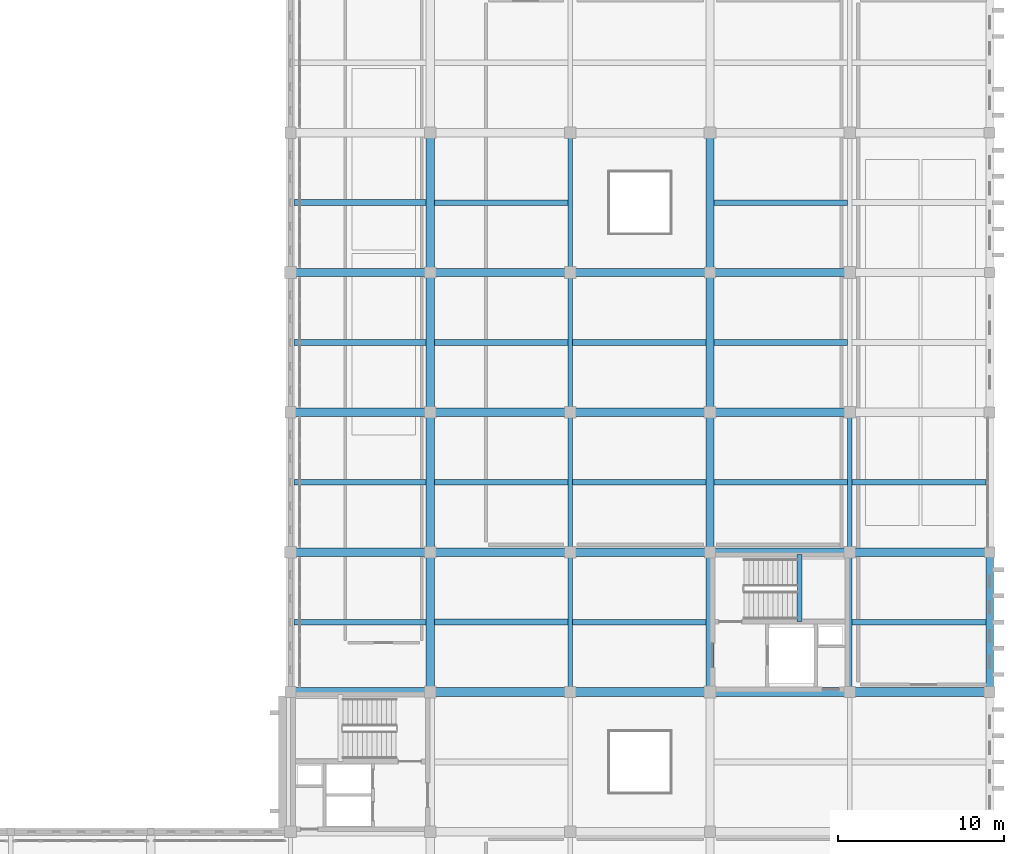
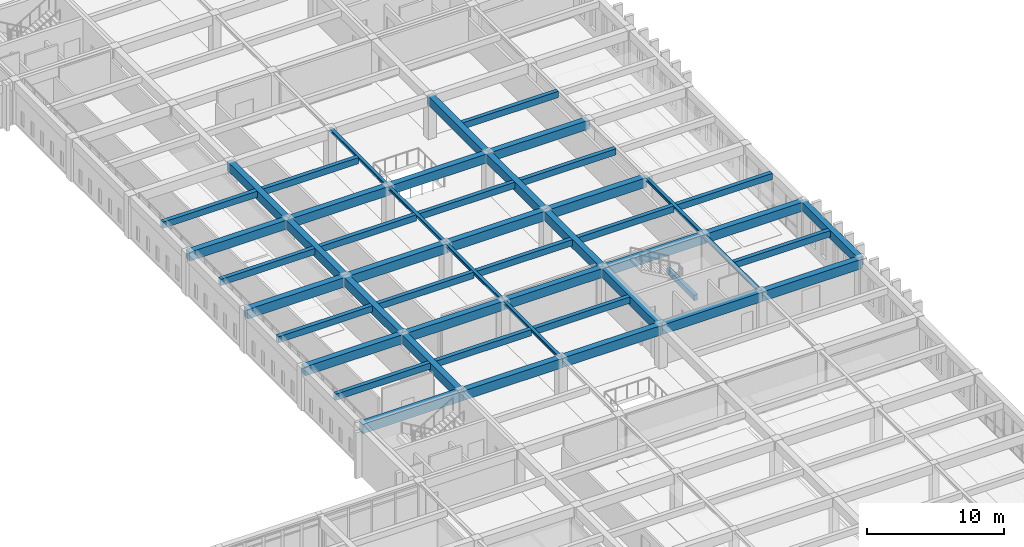
# One storey, part 47 of 110: 50 beams.
"""IFC4 building model written with IfcOpenShell, lengths in metres."""

from ifc_helpers import new_model, si_unit, direction, frame, origin, origin_2d, place, context, subcontext, project, spatial, rectangle, i_section, extrude, material, material_profile, profile_set, type_object, element, save


model = new_model("IFC4")

# Units and contexts
model_context = context("Model", 3, precision=1e-05, world=origin(), true_north=direction((0.0, 1.0)))
body_context = subcontext(model_context, "Body", "Model", "MODEL_VIEW")
ifc_project = project(units=[si_unit("LENGTHUNIT", "METRE"), si_unit("AREAUNIT", "SQUARE_METRE"), si_unit("VOLUMEUNIT", "CUBIC_METRE"), si_unit("PLANEANGLEUNIT", "RADIAN"), si_unit("MASSUNIT", "GRAM", prefix="KILO")], contexts=[model_context])

# Site, building, storey
site_placement = place(None, origin())
site = spatial("IfcSite", under=ifc_project, at=site_placement, CompositionType="ELEMENT")
building_placement = place(site_placement, origin())
building = spatial("IfcBuilding", under=site, at=building_placement, Name="Kveldsbrygga Polytechnic", CompositionType="ELEMENT")
storey_placement = place(building_placement, frame((0.0, 0.0, 9.860107421875)))
storey = spatial("IfcBuildingStorey", under=building, at=storey_placement, Name="L02", CompositionType="ELEMENT", Elevation=9.860107421875)

# Beams
ifc_material_1 = material(Name="Concrete C35/45", Category="concrete")
ifc_material_profile_1 = material_profile(ifc_material_1, rectangle(XDim=0.449951171875, YDim=0.75, at=origin_2d()), Name="RC 450x750")
ifc_profile_set_1 = profile_set([ifc_material_profile_1], Name="Concrete C35/45")
beam_type_1 = type_object("IfcBeamType", Name="BM-RC-450x750", PredefinedType="BEAM", material=ifc_profile_set_1)
beam_1_placement = place(storey_placement, frame((168.0, 33.60009765625, 3.375), z_axis=(0.0, 1.0, 0.0), x_axis=(-1.0, 0.0, 0.0)))
element("IfcBeam", 1, at=beam_1_placement, inside=storey, type_object=beam_type_1, Name="Primary Beam BMY-L02-20-04to05", PredefinedType="BEAM", context=body_context, shape_type="SweptSolid", body=[
    extrude(rectangle(XDim=0.449951171875, YDim=0.75, at=origin_2d()), origin(), (0.0, 0.0, 1.0), 8.39990234375),
])
ifc_material_profile_2 = material_profile(ifc_material_1, rectangle(XDim=0.5, YDim=0.800048828125, at=origin_2d()), Name="RC 500x800")
ifc_profile_set_2 = profile_set([ifc_material_profile_2], Name="Concrete C35/45")
beam_type_2 = type_object("IfcBeamType", Name="BM-RC-500x800", PredefinedType="BEAM", material=ifc_profile_set_2)
beam_2_placement = place(storey_placement, frame((126.0, 42.0, 3.349853515625), z_axis=(1.0, 0.0, 0.0), x_axis=(0.0, 1.0, 0.0)))
element("IfcBeam", 2, at=beam_2_placement, inside=storey, type_object=beam_type_2, Name="Primary Beam BMX-L02-15to16-05", PredefinedType="BEAM", context=body_context, shape_type="SweptSolid", body=[
    extrude(rectangle(XDim=0.5, YDim=0.800048828125, at=origin_2d()), origin(), (0.0, 0.0, 1.0), 8.39990234375),
])
beam_3_placement = place(storey_placement, frame((134.39990234375, 42.0, 3.349853515625), z_axis=(1.0, 0.0, 0.0), x_axis=(0.0, 1.0, 0.0)))
element("IfcBeam", 3, at=beam_3_placement, inside=storey, type_object=beam_type_2, Name="Primary Beam BMX-L02-16to17-05", PredefinedType="BEAM", context=body_context, shape_type="SweptSolid", body=[
    extrude(rectangle(XDim=0.5, YDim=0.800048828125, at=origin_2d()), origin(), (0.0, 0.0, 1.0), 8.400146484375),
])
beam_4_placement = place(storey_placement, frame((142.800048828125, 42.0, 3.349853515625), z_axis=(1.0, 0.0, 0.0), x_axis=(0.0, 1.0, 0.0)))
element("IfcBeam", 4, at=beam_4_placement, inside=storey, type_object=beam_type_2, Name="Primary Beam BMX-L02-17to18-05", PredefinedType="BEAM", context=body_context, shape_type="SweptSolid", body=[
    extrude(rectangle(XDim=0.5, YDim=0.800048828125, at=origin_2d()), origin(), (0.0, 0.0, 1.0), 8.39990234375),
])
beam_5_placement = place(storey_placement, frame((151.199951171875, 42.0, 3.349853515625), z_axis=(1.0, 0.0, 0.0), x_axis=(0.0, 1.0, 0.0)))
element("IfcBeam", 5, at=beam_5_placement, inside=storey, type_object=beam_type_2, Name="Primary Beam BMX-L02-18to19-05", PredefinedType="BEAM", context=body_context, shape_type="SweptSolid", body=[
    extrude(rectangle(XDim=0.5, YDim=0.800048828125, at=origin_2d()), origin(), (0.0, 0.0, 1.0), 8.400146484375),
])
for number, where, z_axis, x_axis, name in (
    (6, (159.60009765625, 42.0, 3.349853515625), (1.0, 0.0, 0.0), (0.0, 1.0, 0.0), "Primary Beam BMX-L02-19to20-05"),
    (7, (126.0, 58.800048828125, 3.349853515625), (1.0, 0.0, 0.0), (0.0, 1.0, 0.0), "Primary Beam BMX-L02-15to16-07"),
):
    element("IfcBeam", number, at=place(storey_placement, frame(where, z_axis=z_axis, x_axis=x_axis)), inside=storey, type_object=beam_type_2, Name=name, PredefinedType="BEAM", context=body_context, shape_type="SweptSolid", body=[
        extrude(rectangle(XDim=0.5, YDim=0.800048828125, at=origin_2d()), origin(), (0.0, 0.0, 1.0), 8.39990234375),
    ])
beam_6_placement = place(storey_placement, frame((134.39990234375, 58.800048828125, 3.349853515625), z_axis=(1.0, 0.0, 0.0), x_axis=(0.0, 1.0, 0.0)))
element("IfcBeam", 8, at=beam_6_placement, inside=storey, type_object=beam_type_2, Name="Primary Beam BMX-L02-16to17-07", PredefinedType="BEAM", context=body_context, shape_type="SweptSolid", body=[
    extrude(rectangle(XDim=0.5, YDim=0.800048828125, at=origin_2d()), origin(), (0.0, 0.0, 1.0), 8.400146484375),
])
beam_7_placement = place(storey_placement, frame((142.800048828125, 58.800048828125, 3.349853515625), z_axis=(1.0, 0.0, 0.0), x_axis=(0.0, 1.0, 0.0)))
element("IfcBeam", 9, at=beam_7_placement, inside=storey, type_object=beam_type_2, Name="Primary Beam BMX-L02-17to18-07", PredefinedType="BEAM", context=body_context, shape_type="SweptSolid", body=[
    extrude(rectangle(XDim=0.5, YDim=0.800048828125, at=origin_2d()), origin(), (0.0, 0.0, 1.0), 8.39990234375),
])
beam_8_placement = place(storey_placement, frame((151.199951171875, 58.800048828125, 3.349853515625), z_axis=(1.0, 0.0, 0.0), x_axis=(0.0, 1.0, 0.0)))
element("IfcBeam", 10, at=beam_8_placement, inside=storey, type_object=beam_type_2, Name="Primary Beam BMX-L02-18to19-07", PredefinedType="BEAM", context=body_context, shape_type="SweptSolid", body=[
    extrude(rectangle(XDim=0.5, YDim=0.800048828125, at=origin_2d()), origin(), (0.0, 0.0, 1.0), 8.400146484375),
])
for number, where, z_axis, x_axis, name in (
    (11, (134.39990234375, 33.60009765625, 3.349853515625), (0.0, 1.0, 0.0), (-1.0, 0.0, 0.0), "Primary Beam BMY-L02-16-04to05"),
    (12, (134.39990234375, 42.0, 3.349853515625), (0.0, 1.0, 0.0), (-1.0, 0.0, 0.0), "Primary Beam BMY-L02-16-05to06"),
):
    element("IfcBeam", number, at=place(storey_placement, frame(where, z_axis=z_axis, x_axis=x_axis)), inside=storey, type_object=beam_type_2, Name=name, PredefinedType="BEAM", context=body_context, shape_type="SweptSolid", body=[
        extrude(rectangle(XDim=0.5, YDim=0.800048828125, at=origin_2d()), origin(), (0.0, 0.0, 1.0), 8.39990234375),
    ])
beam_9_placement = place(storey_placement, frame((134.39990234375, 50.39990234375, 3.349853515625), z_axis=(0.0, 1.0, 0.0), x_axis=(-1.0, 0.0, 0.0)))
element("IfcBeam", 13, at=beam_9_placement, inside=storey, type_object=beam_type_2, Name="Primary Beam BMY-L02-16-06to07", PredefinedType="BEAM", context=body_context, shape_type="SweptSolid", body=[
    extrude(rectangle(XDim=0.5, YDim=0.800048828125, at=origin_2d()), origin(), (0.0, 0.0, 1.0), 8.400146484375),
])
for number, where, z_axis, x_axis, name in (
    (14, (134.39990234375, 58.800048828125, 3.349853515625), (0.0, 1.0, 0.0), (-1.0, 0.0, 0.0), "Primary Beam BMY-L02-16-07to08"),
    (15, (151.199951171875, 33.60009765625, 3.349853515625), (0.0, 1.0, 0.0), (-1.0, 0.0, 0.0), "Primary Beam BMY-L02-18-04to05"),
    (16, (151.199951171875, 42.0, 3.349853515625), (0.0, 1.0, 0.0), (-1.0, 0.0, 0.0), "Primary Beam BMY-L02-18-05to06"),
):
    element("IfcBeam", number, at=place(storey_placement, frame(where, z_axis=z_axis, x_axis=x_axis)), inside=storey, type_object=beam_type_2, Name=name, PredefinedType="BEAM", context=body_context, shape_type="SweptSolid", body=[
        extrude(rectangle(XDim=0.5, YDim=0.800048828125, at=origin_2d()), origin(), (0.0, 0.0, 1.0), 8.39990234375),
    ])
beam_10_placement = place(storey_placement, frame((151.199951171875, 50.39990234375, 3.349853515625), z_axis=(0.0, 1.0, 0.0), x_axis=(-1.0, 0.0, 0.0)))
element("IfcBeam", 17, at=beam_10_placement, inside=storey, type_object=beam_type_2, Name="Primary Beam BMY-L02-18-06to07", PredefinedType="BEAM", context=body_context, shape_type="SweptSolid", body=[
    extrude(rectangle(XDim=0.5, YDim=0.800048828125, at=origin_2d()), origin(), (0.0, 0.0, 1.0), 8.400146484375),
])
beam_11_placement = place(storey_placement, frame((151.199951171875, 58.800048828125, 3.349853515625), z_axis=(0.0, 1.0, 0.0), x_axis=(-1.0, 0.0, 0.0)))
element("IfcBeam", 18, at=beam_11_placement, inside=storey, type_object=beam_type_2, Name="Primary Beam BMY-L02-18-07to08", PredefinedType="BEAM", context=body_context, shape_type="SweptSolid", body=[
    extrude(rectangle(XDim=0.5, YDim=0.800048828125, at=origin_2d()), origin(), (0.0, 0.0, 1.0), 8.39990234375),
])
ifc_material_profile_3 = material_profile(ifc_material_1, rectangle(XDim=0.52001953125, YDim=0.840087890625, at=origin_2d()), Name="RC 520x840")
ifc_profile_set_3 = profile_set([ifc_material_profile_3], Name="Concrete C35/45")
beam_type_3 = type_object("IfcBeamType", Name="BM-RC-520x840", PredefinedType="BEAM", material=ifc_profile_set_3)
beam_12_placement = place(storey_placement, frame((126.0, 33.60009765625, 3.329833984375), z_axis=(1.0, 0.0, 0.0), x_axis=(0.0, 1.0, 0.0)))
element("IfcBeam", 19, at=beam_12_placement, inside=storey, type_object=beam_type_3, Name="Primary Beam BMX-L02-15to16-04", PredefinedType="BEAM", context=body_context, shape_type="SweptSolid", body=[
    extrude(rectangle(XDim=0.52001953125, YDim=0.840087890625, at=origin_2d()), origin(), (0.0, 0.0, 1.0), 8.39990234375),
])
beam_13_placement = place(storey_placement, frame((134.39990234375, 33.60009765625, 3.329833984375), z_axis=(1.0, 0.0, 0.0), x_axis=(0.0, 1.0, 0.0)))
element("IfcBeam", 20, at=beam_13_placement, inside=storey, type_object=beam_type_3, Name="Primary Beam BMX-L02-16to17-04", PredefinedType="BEAM", context=body_context, shape_type="SweptSolid", body=[
    extrude(rectangle(XDim=0.52001953125, YDim=0.840087890625, at=origin_2d()), origin(), (0.0, 0.0, 1.0), 8.400146484375),
])
beam_14_placement = place(storey_placement, frame((142.800048828125, 33.60009765625, 3.329833984375), z_axis=(1.0, 0.0, 0.0), x_axis=(0.0, 1.0, 0.0)))
element("IfcBeam", 21, at=beam_14_placement, inside=storey, type_object=beam_type_3, Name="Primary Beam BMX-L02-17to18-04", PredefinedType="BEAM", context=body_context, shape_type="SweptSolid", body=[
    extrude(rectangle(XDim=0.52001953125, YDim=0.840087890625, at=origin_2d()), origin(), (0.0, 0.0, 1.0), 8.39990234375),
])
beam_15_placement = place(storey_placement, frame((151.199951171875, 33.60009765625, 3.329833984375), z_axis=(1.0, 0.0, 0.0), x_axis=(0.0, 1.0, 0.0)))
element("IfcBeam", 22, at=beam_15_placement, inside=storey, type_object=beam_type_3, Name="Primary Beam BMX-L02-18to19-04", PredefinedType="BEAM", context=body_context, shape_type="SweptSolid", body=[
    extrude(rectangle(XDim=0.52001953125, YDim=0.840087890625, at=origin_2d()), origin(), (0.0, 0.0, 1.0), 8.400146484375),
])
for number, where, z_axis, x_axis, name in (
    (23, (159.60009765625, 33.60009765625, 3.329833984375), (1.0, 0.0, 0.0), (0.0, 1.0, 0.0), "Primary Beam BMX-L02-19to20-04"),
    (24, (126.0, 50.39990234375, 3.329833984375), (1.0, 0.0, 0.0), (0.0, 1.0, 0.0), "Primary Beam BMX-L02-15to16-06"),
):
    element("IfcBeam", number, at=place(storey_placement, frame(where, z_axis=z_axis, x_axis=x_axis)), inside=storey, type_object=beam_type_3, Name=name, PredefinedType="BEAM", context=body_context, shape_type="SweptSolid", body=[
        extrude(rectangle(XDim=0.52001953125, YDim=0.840087890625, at=origin_2d()), origin(), (0.0, 0.0, 1.0), 8.39990234375),
    ])
beam_16_placement = place(storey_placement, frame((134.39990234375, 50.39990234375, 3.329833984375), z_axis=(1.0, 0.0, 0.0), x_axis=(0.0, 1.0, 0.0)))
element("IfcBeam", 25, at=beam_16_placement, inside=storey, type_object=beam_type_3, Name="Primary Beam BMX-L02-16to17-06", PredefinedType="BEAM", context=body_context, shape_type="SweptSolid", body=[
    extrude(rectangle(XDim=0.52001953125, YDim=0.840087890625, at=origin_2d()), origin(), (0.0, 0.0, 1.0), 8.400146484375),
])
beam_17_placement = place(storey_placement, frame((142.800048828125, 50.39990234375, 3.329833984375), z_axis=(1.0, 0.0, 0.0), x_axis=(0.0, 1.0, 0.0)))
element("IfcBeam", 26, at=beam_17_placement, inside=storey, type_object=beam_type_3, Name="Primary Beam BMX-L02-17to18-06", PredefinedType="BEAM", context=body_context, shape_type="SweptSolid", body=[
    extrude(rectangle(XDim=0.52001953125, YDim=0.840087890625, at=origin_2d()), origin(), (0.0, 0.0, 1.0), 8.39990234375),
])
beam_18_placement = place(storey_placement, frame((151.199951171875, 50.39990234375, 3.329833984375), z_axis=(1.0, 0.0, 0.0), x_axis=(0.0, 1.0, 0.0)))
element("IfcBeam", 27, at=beam_18_placement, inside=storey, type_object=beam_type_3, Name="Primary Beam BMX-L02-18to19-06", PredefinedType="BEAM", context=body_context, shape_type="SweptSolid", body=[
    extrude(rectangle(XDim=0.52001953125, YDim=0.840087890625, at=origin_2d()), origin(), (0.0, 0.0, 1.0), 8.400146484375),
])
ifc_material_2 = material(Name="Steel S355", Category="steel")
ifc_material_profile_4 = material_profile(ifc_material_2, i_section(OverallWidth=0.260009765625, OverallDepth=0.260009765625, WebThickness=0.010009765625, FlangeThickness=0.017578125, FilletRadius=0.02392578125, at=origin_2d()), Name="HEB 260")
ifc_profile_set_4 = profile_set([ifc_material_profile_4], Name="Steel S355")
beam_type_4 = type_object("IfcBeamType", Name="BM-STL-HEB260", PredefinedType="BEAM", material=ifc_profile_set_4)
for number, where, z_axis, x_axis, name in (
    (28, (142.800048828125, 33.60009765625, 3.619873046875), (0.0, 1.0, 0.0), (-1.0, 0.0, 0.0), "Primary Beam BMY-L02-17-04to05"),
    (29, (142.800048828125, 42.0, 3.619873046875), (0.0, 1.0, 0.0), (-1.0, 0.0, 0.0), "Primary Beam BMY-L02-17-05to06"),
):
    element("IfcBeam", number, at=place(storey_placement, frame(where, z_axis=z_axis, x_axis=x_axis)), inside=storey, type_object=beam_type_4, Name=name, PredefinedType="BEAM", context=body_context, shape_type="SweptSolid", body=[
        extrude(i_section(OverallWidth=0.260009765625, OverallDepth=0.260009765625, WebThickness=0.010009765625, FlangeThickness=0.017578125, FilletRadius=0.02392578125, at=origin_2d()), origin(), (0.0, 0.0, 1.0), 8.39990234375),
    ])
beam_19_placement = place(storey_placement, frame((142.800048828125, 50.39990234375, 3.619873046875), z_axis=(0.0, 1.0, 0.0), x_axis=(-1.0, 0.0, 0.0)))
element("IfcBeam", 30, at=beam_19_placement, inside=storey, type_object=beam_type_4, Name="Primary Beam BMY-L02-17-06to07", PredefinedType="BEAM", context=body_context, shape_type="SweptSolid", body=[
    extrude(i_section(OverallWidth=0.260009765625, OverallDepth=0.260009765625, WebThickness=0.010009765625, FlangeThickness=0.017578125, FilletRadius=0.02392578125, at=origin_2d()), origin(), (0.0, 0.0, 1.0), 8.400146484375),
])
for number, where, z_axis, x_axis, name in (
    (31, (142.800048828125, 58.800048828125, 3.619873046875), (0.0, 1.0, 0.0), (-1.0, 0.0, 0.0), "Primary Beam BMY-L02-17-07to08"),
    (32, (159.60009765625, 33.60009765625, 3.619873046875), (0.0, 1.0, 0.0), (-1.0, 0.0, 0.0), "Primary Beam BMY-L02-19-04to05"),
    (33, (159.60009765625, 42.0, 3.619873046875), (0.0, 1.0, 0.0), (-1.0, 0.0, 0.0), "Primary Beam BMY-L02-19-05to06"),
):
    element("IfcBeam", number, at=place(storey_placement, frame(where, z_axis=z_axis, x_axis=x_axis)), inside=storey, type_object=beam_type_4, Name=name, PredefinedType="BEAM", context=body_context, shape_type="SweptSolid", body=[
        extrude(i_section(OverallWidth=0.260009765625, OverallDepth=0.260009765625, WebThickness=0.010009765625, FlangeThickness=0.017578125, FilletRadius=0.02392578125, at=origin_2d()), origin(), (0.0, 0.0, 1.0), 8.39990234375),
    ])
ifc_material_profile_5 = material_profile(ifc_material_1, rectangle(XDim=0.340087890625, YDim=0.56005859375, at=origin_2d()), Name="RC 340x560")
ifc_profile_set_5 = profile_set([ifc_material_profile_5], Name="Concrete C35/45")
beam_type_5 = type_object("IfcBeamType", Name="JST-RC-340x560", PredefinedType="JOIST", material=ifc_profile_set_5)
for number, where, z_axis, x_axis, name in (
    (34, (126.22509765625, 37.800048828125, 3.469970703125), (1.0, 0.0, 0.0), (0.0, 1.0, 0.0), "Secondary Joist JST-L02-15-04"),
    (35, (126.22509765625, 54.60009765625, 3.469970703125), (1.0, 0.0, 0.0), (0.0, 1.0, 0.0), "Secondary Joist JST-L02-15-06"),
):
    element("IfcBeam", number, at=place(storey_placement, frame(where, z_axis=z_axis, x_axis=x_axis)), inside=storey, type_object=beam_type_5, Name=name, PredefinedType="JOIST", context=body_context, shape_type="SweptSolid", body=[
        extrude(rectangle(XDim=0.340087890625, YDim=0.56005859375, at=origin_2d()), origin(), (0.0, 0.0, 1.0), 7.9248046875),
    ])
for number, where, z_axis, x_axis, name in (
    (36, (134.64990234375, 46.199951171875, 3.469970703125), (1.0, 0.0, 0.0), (0.0, 1.0, 0.0), "Secondary Joist JST-L02-16-05"),
    (37, (134.64990234375, 63.0, 3.469970703125), (1.0, 0.0, 0.0), (0.0, 1.0, 0.0), "Secondary Joist JST-L02-16-07"),
    (38, (142.929931640625, 37.800048828125, 3.469970703125), (1.0, 0.0, 0.0), (0.0, 1.0, 0.0), "Secondary Joist JST-L02-17-04"),
    (39, (142.929931640625, 54.60009765625, 3.469970703125), (1.0, 0.0, 0.0), (0.0, 1.0, 0.0), "Secondary Joist JST-L02-17-06"),
    (40, (151.449951171875, 46.199951171875, 3.469970703125), (1.0, 0.0, 0.0), (0.0, 1.0, 0.0), "Secondary Joist JST-L02-18-05"),
    (41, (151.449951171875, 63.0, 3.469970703125), (1.0, 0.0, 0.0), (0.0, 1.0, 0.0), "Secondary Joist JST-L02-18-07"),
):
    element("IfcBeam", number, at=place(storey_placement, frame(where, z_axis=z_axis, x_axis=x_axis)), inside=storey, type_object=beam_type_5, Name=name, PredefinedType="JOIST", context=body_context, shape_type="SweptSolid", body=[
        extrude(rectangle(XDim=0.340087890625, YDim=0.56005859375, at=origin_2d()), origin(), (0.0, 0.0, 1.0), 8.02001953125),
    ])
beam_20_placement = place(storey_placement, frame((159.72998046875, 37.800048828125, 3.469970703125), z_axis=(1.0, 0.0, 0.0), x_axis=(0.0, 1.0, 0.0)))
element("IfcBeam", 42, at=beam_20_placement, inside=storey, type_object=beam_type_5, Name="Secondary Joist JST-L02-19-04", PredefinedType="JOIST", context=body_context, shape_type="SweptSolid", body=[
    extrude(rectangle(XDim=0.340087890625, YDim=0.56005859375, at=origin_2d()), origin(), (0.0, 0.0, 1.0), 8.044921875),
])
ifc_material_profile_6 = material_profile(ifc_material_1, rectangle(XDim=0.35009765625, YDim=0.550048828125, at=origin_2d()), Name="RC 350x550")
ifc_profile_set_6 = profile_set([ifc_material_profile_6], Name="Concrete C35/45")
beam_type_6 = type_object("IfcBeamType", Name="JST-RC-350x550", PredefinedType="JOIST", material=ifc_profile_set_6)
for number, where, z_axis, x_axis, name in (
    (43, (126.22509765625, 46.199951171875, 3.474853515625), (1.0, 0.0, 0.0), (0.0, 1.0, 0.0), "Secondary Joist JST-L02-15-05"),
    (44, (126.22509765625, 63.0, 3.474853515625), (1.0, 0.0, 0.0), (0.0, 1.0, 0.0), "Secondary Joist JST-L02-15-07"),
):
    element("IfcBeam", number, at=place(storey_placement, frame(where, z_axis=z_axis, x_axis=x_axis)), inside=storey, type_object=beam_type_6, Name=name, PredefinedType="JOIST", context=body_context, shape_type="SweptSolid", body=[
        extrude(rectangle(XDim=0.35009765625, YDim=0.550048828125, at=origin_2d()), origin(), (0.0, 0.0, 1.0), 7.9248046875),
    ])
for number, where, z_axis, x_axis, name in (
    (45, (134.64990234375, 37.800048828125, 3.474853515625), (1.0, 0.0, 0.0), (0.0, 1.0, 0.0), "Secondary Joist JST-L02-16-04"),
    (46, (134.64990234375, 54.60009765625, 3.474853515625), (1.0, 0.0, 0.0), (0.0, 1.0, 0.0), "Secondary Joist JST-L02-16-06"),
    (47, (142.929931640625, 46.199951171875, 3.474853515625), (1.0, 0.0, 0.0), (0.0, 1.0, 0.0), "Secondary Joist JST-L02-17-05"),
    (48, (151.449951171875, 54.60009765625, 3.474853515625), (1.0, 0.0, 0.0), (0.0, 1.0, 0.0), "Secondary Joist JST-L02-18-06"),
):
    element("IfcBeam", number, at=place(storey_placement, frame(where, z_axis=z_axis, x_axis=x_axis)), inside=storey, type_object=beam_type_6, Name=name, PredefinedType="JOIST", context=body_context, shape_type="SweptSolid", body=[
        extrude(rectangle(XDim=0.35009765625, YDim=0.550048828125, at=origin_2d()), origin(), (0.0, 0.0, 1.0), 8.02001953125),
    ])
beam_21_placement = place(storey_placement, frame((159.72998046875, 46.199951171875, 3.474853515625), z_axis=(1.0, 0.0, 0.0), x_axis=(0.0, 1.0, 0.0)))
element("IfcBeam", 49, at=beam_21_placement, inside=storey, type_object=beam_type_6, Name="Secondary Joist JST-L02-19-05", PredefinedType="JOIST", context=body_context, shape_type="SweptSolid", body=[
    extrude(rectangle(XDim=0.35009765625, YDim=0.550048828125, at=origin_2d()), origin(), (0.0, 0.0, 1.0), 8.044921875),
])
ifc_material_profile_7 = material_profile(ifc_material_1, rectangle(XDim=0.300048828125, YDim=0.5, at=origin_2d()), Name="RC 300x500")
ifc_profile_set_7 = profile_set([ifc_material_profile_7], Name="Concrete C35/45")
beam_type_7 = type_object("IfcBeamType", Name="LNT-RC-300x500", PredefinedType="LINTEL", material=ifc_profile_set_7)
beam_22_placement = place(storey_placement, frame((156.590087890625, 37.830078125, 1.58984375), z_axis=(0.0, 1.0, 0.0), x_axis=(-1.0, 0.0, 0.0)))
element("IfcBeam", 50, at=beam_22_placement, inside=storey, type_object=beam_type_7, Name="Stair Landing Support Beam C3-L02-LNDB-1-1", PredefinedType="LINTEL", context=body_context, shape_type="SweptSolid", body=[
    extrude(rectangle(XDim=0.300048828125, YDim=0.5, at=origin_2d()), origin(), (0.0, 0.0, 1.0), 4.02001953125),
])

save(model, "model.ifc")
